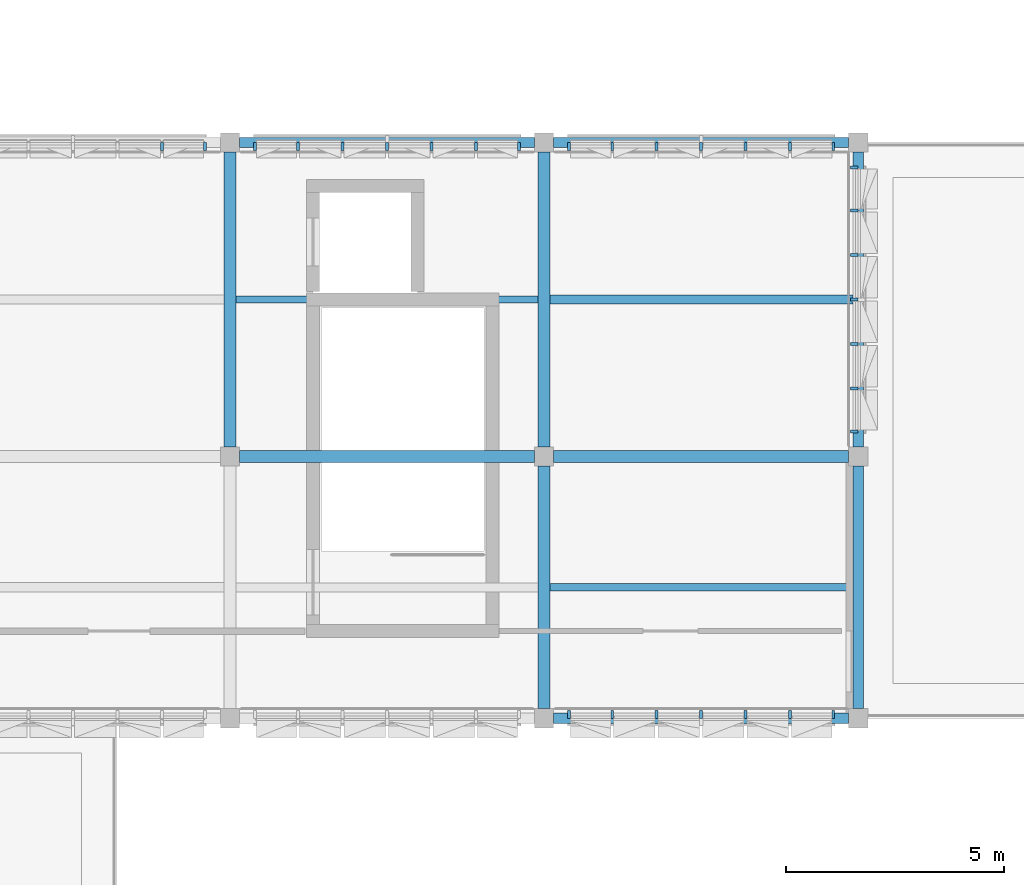
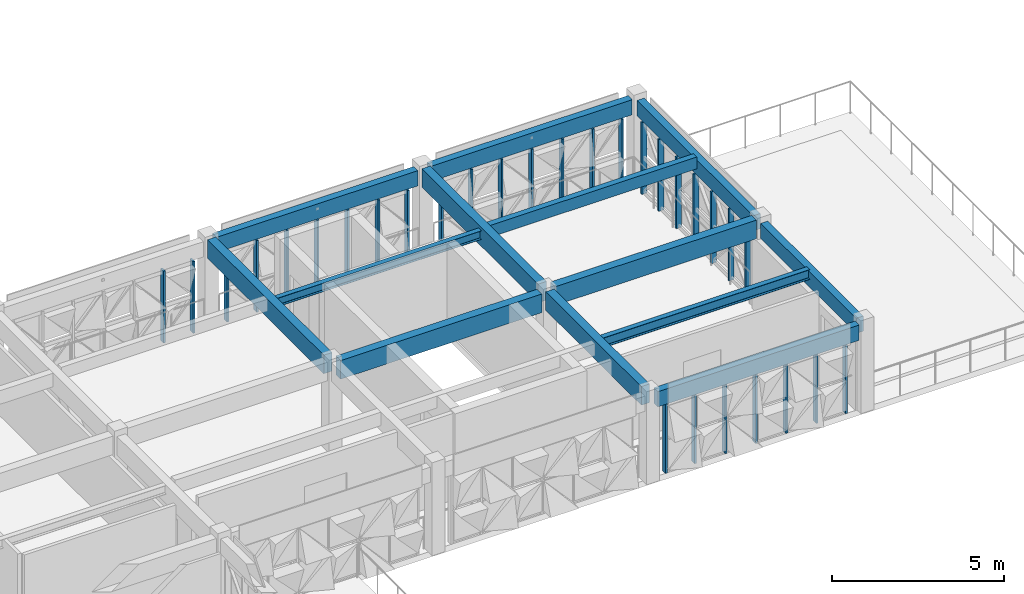
# One storey, part 6 of 35: 30 members, 13 beams, 5 elements without a shape of their own.
"""IFC4 building model written with IfcOpenShell, lengths in metres."""

from ifc_helpers import new_model, si_unit, direction, frame, origin, origin_2d, place, context, subcontext, project, spatial, rectangle, i_section, extrude, material, material_profile, profile_set, type_object, element, aggregate, save


model = new_model("IFC4")

# Units and contexts
model_context = context("Model", 3, precision=1e-05, world=origin(), true_north=direction((0.0, 1.0)))
body_context = subcontext(model_context, "Body", "Model", "MODEL_VIEW")
ifc_project = project(units=[si_unit("LENGTHUNIT", "METRE"), si_unit("AREAUNIT", "SQUARE_METRE"), si_unit("VOLUMEUNIT", "CUBIC_METRE"), si_unit("PLANEANGLEUNIT", "RADIAN"), si_unit("MASSUNIT", "GRAM", prefix="KILO")], contexts=[model_context])

# Site, building, storey
site_placement = place(None, origin())
site = spatial("IfcSite", under=ifc_project, at=site_placement, CompositionType="ELEMENT")
building_placement = place(site_placement, origin())
building = spatial("IfcBuilding", under=site, at=building_placement, Name="Alvorim Cloister Faculty of Sciences", CompositionType="ELEMENT")
storey_placement = place(building_placement, frame((0.0, 0.0, 22.949951171875)))
storey = spatial("IfcBuildingStorey", under=building, at=storey_placement, Name="L06", CompositionType="ELEMENT", Elevation=22.949951171875)

# Beams
ifc_material_1 = material(Name="Glulam GL28h", Category="wood")
ifc_material_profile_1 = material_profile(ifc_material_1, rectangle(XDim=0.280029296875, YDim=0.659912109375, at=origin_2d()), Name="GL28-BM-280x660")
ifc_profile_set_1 = profile_set([ifc_material_profile_1], Name="Glulam GL28h")
beam_type_1 = type_object("IfcBeamType", Name="BM-GL-280x660", PredefinedType="BEAM", material=ifc_profile_set_1)
for number, where, z_axis, x_axis, name in (
    (1, (36.219970703125, 49.199951171875, 2.760009765625), (1.0, 0.0, 0.0), (0.0, 1.0, 0.0), "L06 Primary Beam BM-2056"),
    (2, (43.419921875, 49.199951171875, 2.860107421875), (1.0, 0.0, 0.0), (0.0, 1.0, 0.0), "L06 Primary Beam BM-2057"),
    (3, (36.0, 49.419921875, 2.860107421875), (0.0, 1.0, 0.0), (-1.0, 0.0, 0.0), "L06 Primary Girder BM-2093"),
):
    element("IfcBeam", number, at=place(storey_placement, frame(where, z_axis=z_axis, x_axis=x_axis)), inside=storey, type_object=beam_type_1, Name=name, PredefinedType="BEAM", context=body_context, shape_type="SweptSolid", body=[
        extrude(rectangle(XDim=0.280029296875, YDim=0.659912109375, at=origin_2d()), origin(), (0.0, 0.0, 1.0), 6.760009765625),
    ])
beam_1_placement = place(storey_placement, frame((43.199951171875, 43.419921875, 2.860107421875), z_axis=(0.0, 1.0, 0.0), x_axis=(-1.0, 0.0, 0.0)))
element("IfcBeam", 4, at=beam_1_placement, inside=storey, type_object=beam_type_1, Name="L06 Primary Girder BM-2094", PredefinedType="BEAM", context=body_context, shape_type="SweptSolid", body=[
    extrude(rectangle(XDim=0.280029296875, YDim=0.659912109375, at=origin_2d()), origin(), (0.0, 0.0, 1.0), 5.56005859375),
])
beam_2_placement = place(storey_placement, frame((43.199951171875, 49.419921875, 2.860107421875), z_axis=(0.0, 1.0, 0.0), x_axis=(-1.0, 0.0, 0.0)))
element("IfcBeam", 5, at=beam_2_placement, inside=storey, type_object=beam_type_1, Name="L06 Primary Girder BM-2095", PredefinedType="BEAM", context=body_context, shape_type="SweptSolid", body=[
    extrude(rectangle(XDim=0.280029296875, YDim=0.659912109375, at=origin_2d()), origin(), (0.0, 0.0, 1.0), 6.760009765625),
])
ifc_material_profile_2 = material_profile(ifc_material_1, rectangle(XDim=0.199951171875, YDim=0.419921875, at=origin_2d()), Name="GL28-JST-200x420")
ifc_profile_set_2 = profile_set([ifc_material_profile_2], Name="Glulam GL28h")
beam_type_2 = type_object("IfcBeamType", Name="BM-JST-GL-200x420", PredefinedType="JOIST", material=ifc_profile_set_2)
beam_3_placement = place(storey_placement, frame((43.340087890625, 52.800048828125, 2.97998046875), z_axis=(1.0, 0.0, 0.0), x_axis=(0.0, 1.0, 0.0)))
element("IfcBeam", 6, at=beam_3_placement, inside=storey, type_object=beam_type_2, Name="L06 Secondary Floor Joist BM-2118", PredefinedType="JOIST", context=body_context, shape_type="SweptSolid", body=[
    extrude(rectangle(XDim=0.199951171875, YDim=0.419921875, at=origin_2d()), origin(), (0.0, 0.0, 1.0), 6.93994140625),
])
ifc_material_profile_3 = material_profile(ifc_material_1, rectangle(XDim=0.239990234375, YDim=0.5400390625, at=origin_2d()), Name="GL28-SPD-240x540")
ifc_profile_set_3 = profile_set([ifc_material_profile_3], Name="Glulam GL28h")
beam_type_3 = type_object("IfcBeamType", Name="BM-SPD-GL-240x540", PredefinedType="SPANDREL", material=ifc_profile_set_3)
for number, where, z_axis, x_axis, name in (
    (7, (43.419921875, 43.199951171875, 2.820068359375), (1.0, 0.0, 0.0), (0.0, 1.0, 0.0), "L06 Primary Beam BM-2052"),
    (8, (36.219970703125, 56.39990234375, 2.820068359375), (1.0, 0.0, 0.0), (0.0, 1.0, 0.0), "L06 Primary Beam BM-2062"),
    (9, (43.419921875, 56.39990234375, 2.820068359375), (1.0, 0.0, 0.0), (0.0, 1.0, 0.0), "L06 Primary Beam BM-2063"),
):
    element("IfcBeam", number, at=place(storey_placement, frame(where, z_axis=z_axis, x_axis=x_axis)), inside=storey, type_object=beam_type_3, Name=name, PredefinedType="SPANDREL", context=body_context, shape_type="SweptSolid", body=[
        extrude(rectangle(XDim=0.239990234375, YDim=0.5400390625, at=origin_2d()), origin(), (0.0, 0.0, 1.0), 6.760009765625),
    ])
beam_4_placement = place(storey_placement, frame((50.39990234375, 43.419921875, 2.820068359375), z_axis=(0.0, 1.0, 0.0), x_axis=(-1.0, 0.0, 0.0)))
element("IfcBeam", 10, at=beam_4_placement, inside=storey, type_object=beam_type_3, Name="L06 Primary Girder BM-2096", PredefinedType="SPANDREL", context=body_context, shape_type="SweptSolid", body=[
    extrude(rectangle(XDim=0.239990234375, YDim=0.5400390625, at=origin_2d()), origin(), (0.0, 0.0, 1.0), 5.56005859375),
])
beam_5_placement = place(storey_placement, frame((50.39990234375, 49.419921875, 2.820068359375), z_axis=(0.0, 1.0, 0.0), x_axis=(-1.0, 0.0, 0.0)))
element("IfcBeam", 11, at=beam_5_placement, inside=storey, type_object=beam_type_3, Name="L06 Primary Girder BM-2097", PredefinedType="SPANDREL", context=body_context, shape_type="SweptSolid", body=[
    extrude(rectangle(XDim=0.239990234375, YDim=0.5400390625, at=origin_2d()), origin(), (0.0, 0.0, 1.0), 6.760009765625),
])
ifc_material_2 = material(Name="Steel ASTM A572 Grade 50", Category="steel")
ifc_material_profile_4 = material_profile(ifc_material_2, i_section(OverallWidth=0.1650390625, OverallDepth=0.31005859375, WebThickness=0.005859375, FlangeThickness=0.009765625, FilletRadius=0.010986328125, at=origin_2d()), Name="W310x38.7")
ifc_profile_set_4 = profile_set([ifc_material_profile_4], Name="Steel ASTM A572 Grade 50")
beam_type_4 = type_object("IfcBeamType", Name="BM-STL-W310", PredefinedType="JOIST", material=ifc_profile_set_4)
beam_6_placement = place(storey_placement, frame((36.139892578125, 52.800048828125, 2.93505859375), z_axis=(1.0, 0.0, 0.0), x_axis=(0.0, 1.0, 0.0)))
element("IfcBeam", 12, at=beam_6_placement, inside=storey, type_object=beam_type_4, Name="L06 Secondary Floor Joist BM-2116", PredefinedType="JOIST", context=body_context, shape_type="SweptSolid", body=[
    extrude(i_section(OverallWidth=0.1650390625, OverallDepth=0.31005859375, WebThickness=0.005859375, FlangeThickness=0.009765625, FilletRadius=0.010986328125, at=origin_2d()), origin(), (0.0, 0.0, 1.0), 6.920166015625),
])
ifc_material_profile_5 = material_profile(ifc_material_2, i_section(OverallWidth=0.1708984375, OverallDepth=0.35498046875, WebThickness=0.007080078125, FlangeThickness=0.01171875, FilletRadius=0.012939453125, at=origin_2d()), Name="W360x51.0")
ifc_profile_set_5 = profile_set([ifc_material_profile_5], Name="Steel ASTM A572 Grade 50")
beam_type_5 = type_object("IfcBeamType", Name="BM-STL-W360", PredefinedType="JOIST", material=ifc_profile_set_5)
beam_7_placement = place(storey_placement, frame((43.340087890625, 46.199951171875, 3.012451171875), z_axis=(1.0, 0.0, 0.0), x_axis=(0.0, 1.0, 0.0)))
element("IfcBeam", 13, at=beam_7_placement, inside=storey, type_object=beam_type_5, Name="L06 Secondary Floor Joist BM-2117", PredefinedType="JOIST", context=body_context, shape_type="SweptSolid", body=[
    extrude(i_section(OverallWidth=0.1708984375, OverallDepth=0.35498046875, WebThickness=0.007080078125, FlangeThickness=0.01171875, FilletRadius=0.012939453125, at=origin_2d()), origin(), (0.0, 0.0, 1.0), 6.93994140625),
])

# Curtain wall, members
ifc_material_3 = material(Name="Aluminium and Low-E Glass Curtain Wall", Category="aluminium")
curtain_wall_type = type_object("IfcCurtainWallType", Name="CW-TRI-6120x2550", PredefinedType="USERDEFINED", material=ifc_material_3)
curtain_wall_1_placement = place(storey_placement, origin())
curtain_wall_1 = element("IfcCurtainWall", 14, at=curtain_wall_1_placement, inside=storey, type_object=curtain_wall_type, Name="L06 Diagonal Cassette Curtain Wall CW-0248", ObjectType="UNITISED CURTAIN WALL", PredefinedType="USERDEFINED")
ifc_material_4 = material(Name="Aluminium Alloy 6063-T6", Category="aluminium")
ifc_material_profile_6 = material_profile(ifc_material_4, rectangle(XDim=0.06494140625, YDim=0.179931640625, at=origin_2d()), Name="ALU-MUL-65x180")
ifc_profile_set_6 = profile_set([ifc_material_profile_6], Name="Aluminium Alloy 6063-T6")
member_type = type_object("IfcMemberType", Name="CW-MUL-65x180", PredefinedType="MULLION", material=ifc_profile_set_6)
member_1_placement = place(storey_placement, frame((34.43994140625, 56.31005859375, 0.0), z_axis=(0.0, 0.0, 1.0), x_axis=(1.0, 0.0, 0.0)))
member_1 = element("IfcMember", 15, at=member_1_placement, type_object=member_type, Name="CW-0248 Mullion 6", PredefinedType="MULLION", context=body_context, shape_type="SweptSolid", body=[
    extrude(rectangle(XDim=0.06494140625, YDim=0.179931640625, at=origin_2d()), origin(), (0.0, 0.0, 1.0), 2.550048828125),
])
member_2_placement = place(storey_placement, frame((35.427490234375, 56.31005859375, 0.0), z_axis=(0.0, 0.0, 1.0), x_axis=(1.0, 0.0, 0.0)))
member_2 = element("IfcMember", 16, at=member_2_placement, type_object=member_type, Name="CW-0248 Mullion 7", PredefinedType="MULLION", context=body_context, shape_type="SweptSolid", body=[
    extrude(rectangle(XDim=0.06494140625, YDim=0.179931640625, at=origin_2d()), origin(), (0.0, 0.0, 1.0), 2.550048828125),
])
aggregate(curtain_wall_1, [member_1, member_2])

curtain_wall_2_placement = place(storey_placement, origin())
curtain_wall_2 = element("IfcCurtainWall", 17, at=curtain_wall_2_placement, inside=storey, type_object=curtain_wall_type, Name="L06 Diagonal Cassette Curtain Wall CW-0249", ObjectType="UNITISED CURTAIN WALL", PredefinedType="USERDEFINED")
member_3_placement = place(storey_placement, frame((36.572509765625, 56.31005859375, 0.0), z_axis=(0.0, 0.0, 1.0), x_axis=(1.0, 0.0, 0.0)))
member_3 = element("IfcMember", 18, at=member_3_placement, type_object=member_type, Name="CW-0249 Mullion 1", PredefinedType="MULLION", context=body_context, shape_type="SweptSolid", body=[
    extrude(rectangle(XDim=0.06494140625, YDim=0.179931640625, at=origin_2d()), origin(), (0.0, 0.0, 1.0), 2.550048828125),
])
member_4_placement = place(storey_placement, frame((37.56005859375, 56.31005859375, 0.0), z_axis=(0.0, 0.0, 1.0), x_axis=(1.0, 0.0, 0.0)))
member_4 = element("IfcMember", 19, at=member_4_placement, type_object=member_type, Name="CW-0249 Mullion 2", PredefinedType="MULLION", context=body_context, shape_type="SweptSolid", body=[
    extrude(rectangle(XDim=0.06494140625, YDim=0.179931640625, at=origin_2d()), origin(), (0.0, 0.0, 1.0), 2.550048828125),
])
member_5_placement = place(storey_placement, frame((38.580078125, 56.31005859375, 0.0), z_axis=(0.0, 0.0, 1.0), x_axis=(1.0, 0.0, 0.0)))
member_5 = element("IfcMember", 20, at=member_5_placement, type_object=member_type, Name="CW-0249 Mullion 3", PredefinedType="MULLION", context=body_context, shape_type="SweptSolid", body=[
    extrude(rectangle(XDim=0.06494140625, YDim=0.179931640625, at=origin_2d()), origin(), (0.0, 0.0, 1.0), 2.550048828125),
])
member_6_placement = place(storey_placement, frame((39.60009765625, 56.31005859375, 0.0), z_axis=(0.0, 0.0, 1.0), x_axis=(1.0, 0.0, 0.0)))
member_6 = element("IfcMember", 21, at=member_6_placement, type_object=member_type, Name="CW-0249 Mullion 4", PredefinedType="MULLION", context=body_context, shape_type="SweptSolid", body=[
    extrude(rectangle(XDim=0.06494140625, YDim=0.179931640625, at=origin_2d()), origin(), (0.0, 0.0, 1.0), 2.550048828125),
])
member_7_placement = place(storey_placement, frame((40.6201171875, 56.31005859375, 0.0), z_axis=(0.0, 0.0, 1.0), x_axis=(1.0, 0.0, 0.0)))
member_7 = element("IfcMember", 22, at=member_7_placement, type_object=member_type, Name="CW-0249 Mullion 5", PredefinedType="MULLION", context=body_context, shape_type="SweptSolid", body=[
    extrude(rectangle(XDim=0.06494140625, YDim=0.179931640625, at=origin_2d()), origin(), (0.0, 0.0, 1.0), 2.550048828125),
])
member_8_placement = place(storey_placement, frame((41.639892578125, 56.31005859375, 0.0), z_axis=(0.0, 0.0, 1.0), x_axis=(1.0, 0.0, 0.0)))
member_8 = element("IfcMember", 23, at=member_8_placement, type_object=member_type, Name="CW-0249 Mullion 6", PredefinedType="MULLION", context=body_context, shape_type="SweptSolid", body=[
    extrude(rectangle(XDim=0.06494140625, YDim=0.179931640625, at=origin_2d()), origin(), (0.0, 0.0, 1.0), 2.550048828125),
])
member_9_placement = place(storey_placement, frame((42.62744140625, 56.31005859375, 0.0), z_axis=(0.0, 0.0, 1.0), x_axis=(1.0, 0.0, 0.0)))
member_9 = element("IfcMember", 24, at=member_9_placement, type_object=member_type, Name="CW-0249 Mullion 7", PredefinedType="MULLION", context=body_context, shape_type="SweptSolid", body=[
    extrude(rectangle(XDim=0.06494140625, YDim=0.179931640625, at=origin_2d()), origin(), (0.0, 0.0, 1.0), 2.550048828125),
])
aggregate(curtain_wall_2, [member_3, member_4, member_5, member_6, member_7, member_8, member_9])

curtain_wall_3_placement = place(storey_placement, origin())
curtain_wall_3 = element("IfcCurtainWall", 25, at=curtain_wall_3_placement, inside=storey, type_object=curtain_wall_type, Name="L06 Diagonal Cassette Curtain Wall CW-0250", ObjectType="UNITISED CURTAIN WALL", PredefinedType="USERDEFINED")
member_10_placement = place(storey_placement, frame((43.7724609375, 56.31005859375, 0.0), z_axis=(0.0, 0.0, 1.0), x_axis=(1.0, 0.0, 0.0)))
member_10 = element("IfcMember", 26, at=member_10_placement, type_object=member_type, Name="CW-0250 Mullion 1", PredefinedType="MULLION", context=body_context, shape_type="SweptSolid", body=[
    extrude(rectangle(XDim=0.06494140625, YDim=0.179931640625, at=origin_2d()), origin(), (0.0, 0.0, 1.0), 2.550048828125),
])
member_11_placement = place(storey_placement, frame((44.760009765625, 56.31005859375, 0.0), z_axis=(0.0, 0.0, 1.0), x_axis=(1.0, 0.0, 0.0)))
member_11 = element("IfcMember", 27, at=member_11_placement, type_object=member_type, Name="CW-0250 Mullion 2", PredefinedType="MULLION", context=body_context, shape_type="SweptSolid", body=[
    extrude(rectangle(XDim=0.06494140625, YDim=0.179931640625, at=origin_2d()), origin(), (0.0, 0.0, 1.0), 2.550048828125),
])
member_12_placement = place(storey_placement, frame((45.780029296875, 56.31005859375, 0.0), z_axis=(0.0, 0.0, 1.0), x_axis=(1.0, 0.0, 0.0)))
member_12 = element("IfcMember", 28, at=member_12_placement, type_object=member_type, Name="CW-0250 Mullion 3", PredefinedType="MULLION", context=body_context, shape_type="SweptSolid", body=[
    extrude(rectangle(XDim=0.06494140625, YDim=0.179931640625, at=origin_2d()), origin(), (0.0, 0.0, 1.0), 2.550048828125),
])
member_13_placement = place(storey_placement, frame((46.800048828125, 56.31005859375, 0.0), z_axis=(0.0, 0.0, 1.0), x_axis=(1.0, 0.0, 0.0)))
member_13 = element("IfcMember", 29, at=member_13_placement, type_object=member_type, Name="CW-0250 Mullion 4", PredefinedType="MULLION", context=body_context, shape_type="SweptSolid", body=[
    extrude(rectangle(XDim=0.06494140625, YDim=0.179931640625, at=origin_2d()), origin(), (0.0, 0.0, 1.0), 2.550048828125),
])
member_14_placement = place(storey_placement, frame((47.820068359375, 56.31005859375, 0.0), z_axis=(0.0, 0.0, 1.0), x_axis=(1.0, 0.0, 0.0)))
member_14 = element("IfcMember", 30, at=member_14_placement, type_object=member_type, Name="CW-0250 Mullion 5", PredefinedType="MULLION", context=body_context, shape_type="SweptSolid", body=[
    extrude(rectangle(XDim=0.06494140625, YDim=0.179931640625, at=origin_2d()), origin(), (0.0, 0.0, 1.0), 2.550048828125),
])
member_15_placement = place(storey_placement, frame((48.840087890625, 56.31005859375, 0.0), z_axis=(0.0, 0.0, 1.0), x_axis=(1.0, 0.0, 0.0)))
member_15 = element("IfcMember", 31, at=member_15_placement, type_object=member_type, Name="CW-0250 Mullion 6", PredefinedType="MULLION", context=body_context, shape_type="SweptSolid", body=[
    extrude(rectangle(XDim=0.06494140625, YDim=0.179931640625, at=origin_2d()), origin(), (0.0, 0.0, 1.0), 2.550048828125),
])
member_16_placement = place(storey_placement, frame((49.827392578125, 56.31005859375, 0.0), z_axis=(0.0, 0.0, 1.0), x_axis=(1.0, 0.0, 0.0)))
member_16 = element("IfcMember", 32, at=member_16_placement, type_object=member_type, Name="CW-0250 Mullion 7", PredefinedType="MULLION", context=body_context, shape_type="SweptSolid", body=[
    extrude(rectangle(XDim=0.06494140625, YDim=0.179931640625, at=origin_2d()), origin(), (0.0, 0.0, 1.0), 2.550048828125),
])
aggregate(curtain_wall_3, [member_10, member_11, member_12, member_13, member_14, member_15, member_16])

curtain_wall_4_placement = place(storey_placement, origin())
curtain_wall_4 = element("IfcCurtainWall", 33, at=curtain_wall_4_placement, inside=storey, type_object=curtain_wall_type, Name="L06 Diagonal Cassette Curtain Wall CW-0251", ObjectType="UNITISED CURTAIN WALL", PredefinedType="USERDEFINED")
member_17_placement = place(storey_placement, frame((50.31005859375, 49.7724609375, 0.0), z_axis=(0.0, 0.0, 1.0), x_axis=(0.0, 1.0, 0.0)))
member_17 = element("IfcMember", 34, at=member_17_placement, type_object=member_type, Name="CW-0251 Mullion 1", PredefinedType="MULLION", context=body_context, shape_type="SweptSolid", body=[
    extrude(rectangle(XDim=0.06494140625, YDim=0.179931640625, at=origin_2d()), origin(), (0.0, 0.0, 1.0), 2.550048828125),
])
member_18_placement = place(storey_placement, frame((50.31005859375, 50.760009765625, 0.0), z_axis=(0.0, 0.0, 1.0), x_axis=(0.0, 1.0, 0.0)))
member_18 = element("IfcMember", 35, at=member_18_placement, type_object=member_type, Name="CW-0251 Mullion 2", PredefinedType="MULLION", context=body_context, shape_type="SweptSolid", body=[
    extrude(rectangle(XDim=0.06494140625, YDim=0.179931640625, at=origin_2d()), origin(), (0.0, 0.0, 1.0), 2.550048828125),
])
member_19_placement = place(storey_placement, frame((50.31005859375, 51.780029296875, 0.0), z_axis=(0.0, 0.0, 1.0), x_axis=(0.0, 1.0, 0.0)))
member_19 = element("IfcMember", 36, at=member_19_placement, type_object=member_type, Name="CW-0251 Mullion 3", PredefinedType="MULLION", context=body_context, shape_type="SweptSolid", body=[
    extrude(rectangle(XDim=0.06494140625, YDim=0.179931640625, at=origin_2d()), origin(), (0.0, 0.0, 1.0), 2.550048828125),
])
member_20_placement = place(storey_placement, frame((50.31005859375, 52.800048828125, 0.0), z_axis=(0.0, 0.0, 1.0), x_axis=(0.0, 1.0, 0.0)))
member_20 = element("IfcMember", 37, at=member_20_placement, type_object=member_type, Name="CW-0251 Mullion 4", PredefinedType="MULLION", context=body_context, shape_type="SweptSolid", body=[
    extrude(rectangle(XDim=0.06494140625, YDim=0.179931640625, at=origin_2d()), origin(), (0.0, 0.0, 1.0), 2.550048828125),
])
member_21_placement = place(storey_placement, frame((50.31005859375, 53.820068359375, 0.0), z_axis=(0.0, 0.0, 1.0), x_axis=(0.0, 1.0, 0.0)))
member_21 = element("IfcMember", 38, at=member_21_placement, type_object=member_type, Name="CW-0251 Mullion 5", PredefinedType="MULLION", context=body_context, shape_type="SweptSolid", body=[
    extrude(rectangle(XDim=0.06494140625, YDim=0.179931640625, at=origin_2d()), origin(), (0.0, 0.0, 1.0), 2.550048828125),
])
member_22_placement = place(storey_placement, frame((50.31005859375, 54.840087890625, 0.0), z_axis=(0.0, 0.0, 1.0), x_axis=(0.0, 1.0, 0.0)))
member_22 = element("IfcMember", 39, at=member_22_placement, type_object=member_type, Name="CW-0251 Mullion 6", PredefinedType="MULLION", context=body_context, shape_type="SweptSolid", body=[
    extrude(rectangle(XDim=0.06494140625, YDim=0.179931640625, at=origin_2d()), origin(), (0.0, 0.0, 1.0), 2.550048828125),
])
member_23_placement = place(storey_placement, frame((50.31005859375, 55.827392578125, 0.0), z_axis=(0.0, 0.0, 1.0), x_axis=(0.0, 1.0, 0.0)))
member_23 = element("IfcMember", 40, at=member_23_placement, type_object=member_type, Name="CW-0251 Mullion 7", PredefinedType="MULLION", context=body_context, shape_type="SweptSolid", body=[
    extrude(rectangle(XDim=0.06494140625, YDim=0.179931640625, at=origin_2d()), origin(), (0.0, 0.0, 1.0), 2.550048828125),
])
aggregate(curtain_wall_4, [member_17, member_18, member_19, member_20, member_21, member_22, member_23])

curtain_wall_5_placement = place(storey_placement, origin())
curtain_wall_5 = element("IfcCurtainWall", 41, at=curtain_wall_5_placement, inside=storey, type_object=curtain_wall_type, Name="L06 Diagonal Cassette Curtain Wall CW-0252", ObjectType="UNITISED CURTAIN WALL", PredefinedType="USERDEFINED")
member_24_placement = place(storey_placement, frame((43.7724609375, 43.2900390625, 0.0), z_axis=(0.0, 0.0, 1.0), x_axis=(1.0, 0.0, 0.0)))
member_24 = element("IfcMember", 42, at=member_24_placement, type_object=member_type, Name="CW-0252 Mullion 1", PredefinedType="MULLION", context=body_context, shape_type="SweptSolid", body=[
    extrude(rectangle(XDim=0.06494140625, YDim=0.179931640625, at=origin_2d()), origin(), (0.0, 0.0, 1.0), 2.550048828125),
])
member_25_placement = place(storey_placement, frame((44.760009765625, 43.2900390625, 0.0), z_axis=(0.0, 0.0, 1.0), x_axis=(1.0, 0.0, 0.0)))
member_25 = element("IfcMember", 43, at=member_25_placement, type_object=member_type, Name="CW-0252 Mullion 2", PredefinedType="MULLION", context=body_context, shape_type="SweptSolid", body=[
    extrude(rectangle(XDim=0.06494140625, YDim=0.179931640625, at=origin_2d()), origin(), (0.0, 0.0, 1.0), 2.550048828125),
])
member_26_placement = place(storey_placement, frame((45.780029296875, 43.2900390625, 0.0), z_axis=(0.0, 0.0, 1.0), x_axis=(1.0, 0.0, 0.0)))
member_26 = element("IfcMember", 44, at=member_26_placement, type_object=member_type, Name="CW-0252 Mullion 3", PredefinedType="MULLION", context=body_context, shape_type="SweptSolid", body=[
    extrude(rectangle(XDim=0.06494140625, YDim=0.179931640625, at=origin_2d()), origin(), (0.0, 0.0, 1.0), 2.550048828125),
])
member_27_placement = place(storey_placement, frame((46.800048828125, 43.2900390625, 0.0), z_axis=(0.0, 0.0, 1.0), x_axis=(1.0, 0.0, 0.0)))
member_27 = element("IfcMember", 45, at=member_27_placement, type_object=member_type, Name="CW-0252 Mullion 4", PredefinedType="MULLION", context=body_context, shape_type="SweptSolid", body=[
    extrude(rectangle(XDim=0.06494140625, YDim=0.179931640625, at=origin_2d()), origin(), (0.0, 0.0, 1.0), 2.550048828125),
])
member_28_placement = place(storey_placement, frame((47.820068359375, 43.2900390625, 0.0), z_axis=(0.0, 0.0, 1.0), x_axis=(1.0, 0.0, 0.0)))
member_28 = element("IfcMember", 46, at=member_28_placement, type_object=member_type, Name="CW-0252 Mullion 5", PredefinedType="MULLION", context=body_context, shape_type="SweptSolid", body=[
    extrude(rectangle(XDim=0.06494140625, YDim=0.179931640625, at=origin_2d()), origin(), (0.0, 0.0, 1.0), 2.550048828125),
])
member_29_placement = place(storey_placement, frame((48.840087890625, 43.2900390625, 0.0), z_axis=(0.0, 0.0, 1.0), x_axis=(1.0, 0.0, 0.0)))
member_29 = element("IfcMember", 47, at=member_29_placement, type_object=member_type, Name="CW-0252 Mullion 6", PredefinedType="MULLION", context=body_context, shape_type="SweptSolid", body=[
    extrude(rectangle(XDim=0.06494140625, YDim=0.179931640625, at=origin_2d()), origin(), (0.0, 0.0, 1.0), 2.550048828125),
])
member_30_placement = place(storey_placement, frame((49.827392578125, 43.2900390625, 0.0), z_axis=(0.0, 0.0, 1.0), x_axis=(1.0, 0.0, 0.0)))
member_30 = element("IfcMember", 48, at=member_30_placement, type_object=member_type, Name="CW-0252 Mullion 7", PredefinedType="MULLION", context=body_context, shape_type="SweptSolid", body=[
    extrude(rectangle(XDim=0.06494140625, YDim=0.179931640625, at=origin_2d()), origin(), (0.0, 0.0, 1.0), 2.550048828125),
])
aggregate(curtain_wall_5, [member_24, member_25, member_26, member_27, member_28, member_29, member_30])

save(model, "model.ifc")
